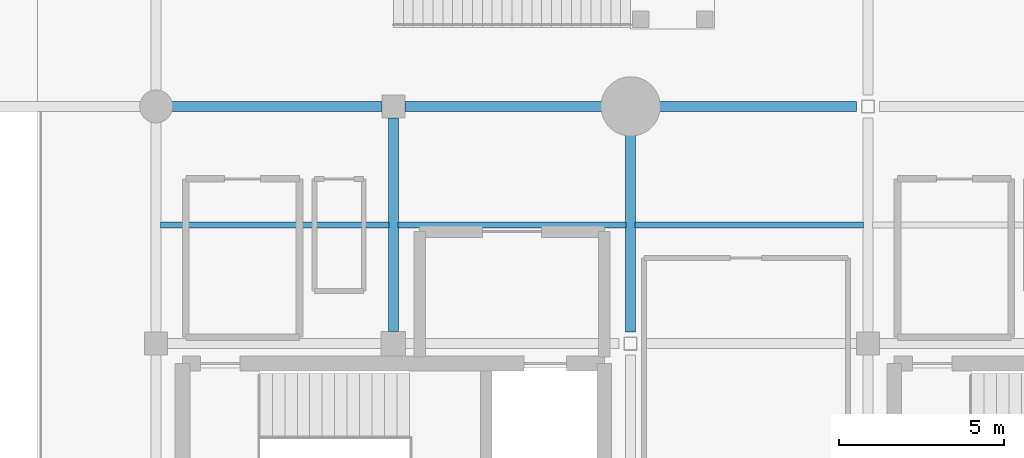
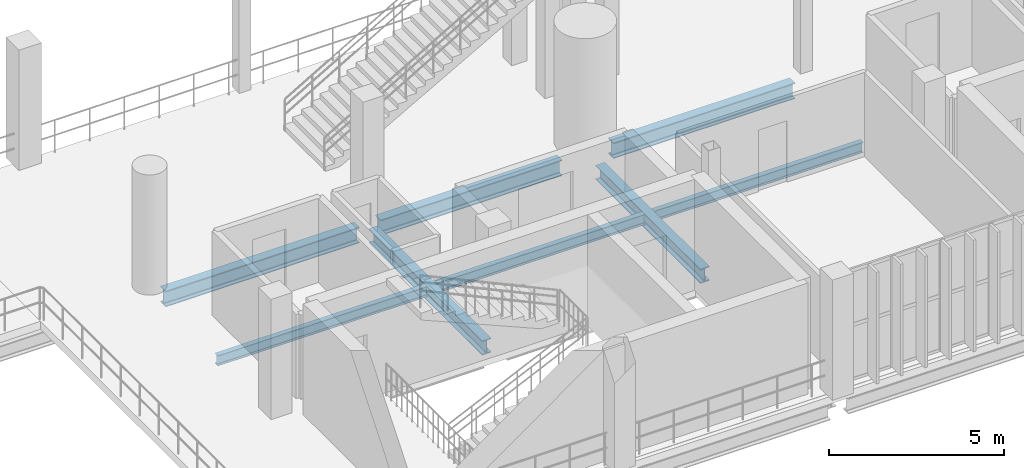
# One storey, part 25 of 130: 8 beams.
"""IFC4 building model written with IfcOpenShell, lengths in metres."""

from ifc_helpers import new_model, si_unit, direction, frame, origin, origin_2d, place, context, subcontext, project, spatial, i_section, extrude, material, material_profile, profile_set, type_object, element, save


model = new_model("IFC4")

# Units and contexts
model_context = context("Model", 3, precision=1e-05, world=origin(), true_north=direction((0.0, 1.0)))
body_context = subcontext(model_context, "Body", "Model", "MODEL_VIEW")
ifc_project = project(units=[si_unit("LENGTHUNIT", "METRE"), si_unit("AREAUNIT", "SQUARE_METRE"), si_unit("VOLUMEUNIT", "CUBIC_METRE"), si_unit("PLANEANGLEUNIT", "RADIAN"), si_unit("MASSUNIT", "GRAM", prefix="KILO")], contexts=[model_context])

# Site, building, storey
site_placement = place(None, origin())
site = spatial("IfcSite", under=ifc_project, at=site_placement, CompositionType="ELEMENT")
building_placement = place(site_placement, origin())
building = spatial("IfcBuilding", under=site, at=building_placement, Name="Qandorah Velis Arena", CompositionType="ELEMENT")
storey_placement = place(building_placement, frame((0.0, 0.0, 9.60009765625)))
storey = spatial("IfcBuildingStorey", under=building, at=storey_placement, Name="L02", CompositionType="ELEMENT", Elevation=9.60009765625)

# Beams
ifc_material = material(Name="Steel S355", Category="steel")
ifc_material_profile_1 = material_profile(ifc_material, i_section(OverallWidth=0.300048828125, OverallDepth=0.5, WebThickness=0.014404296875, FlangeThickness=0.028076171875, FilletRadius=0.027099609375, at=origin_2d()), Name="HEB 500")
ifc_profile_set_1 = profile_set([ifc_material_profile_1], Name="Steel S355")
beam_type_1 = type_object("IfcBeamType", Name="STR-BM-HEB500", PredefinedType="BEAM", material=ifc_profile_set_1)
beam_1_placement = place(storey_placement, frame((36.0, 7.574951171875, -0.530029296875), z_axis=(0.0, 1.0, 0.0), x_axis=(-1.0, 0.0, 0.0)))
element("IfcBeam", 1, at=beam_1_placement, inside=storey, type_object=beam_type_1, Name="Primary floor girder L02 Y-246", PredefinedType="BEAM", context=body_context, shape_type="SweptSolid", body=[
    extrude(i_section(OverallWidth=0.300048828125, OverallDepth=0.5, WebThickness=0.014404296875, FlangeThickness=0.028076171875, FilletRadius=0.027099609375, at=origin_2d()), origin(), (0.0, 0.0, 1.0), 6.47509765625),
])
beam_2_placement = place(storey_placement, frame((43.199951171875, 7.550048828125, -0.530029296875), z_axis=(0.0, 1.0, 0.0), x_axis=(-1.0, 0.0, 0.0)))
element("IfcBeam", 2, at=beam_2_placement, inside=storey, type_object=beam_type_1, Name="Primary floor girder L02 Y-249", PredefinedType="BEAM", context=body_context, shape_type="SweptSolid", body=[
    extrude(i_section(OverallWidth=0.300048828125, OverallDepth=0.5, WebThickness=0.014404296875, FlangeThickness=0.028076171875, FilletRadius=0.027099609375, at=origin_2d()), origin(), (0.0, 0.0, 1.0), 6.0),
])
ifc_material_profile_2 = material_profile(ifc_material, i_section(OverallWidth=0.300048828125, OverallDepth=0.550048828125, WebThickness=0.014892578125, FlangeThickness=0.029052734375, FilletRadius=0.027099609375, at=origin_2d()), Name="HEB 550")
ifc_profile_set_2 = profile_set([ifc_material_profile_2], Name="Steel S355")
beam_type_2 = type_object("IfcBeamType", Name="STR-BM-HEB550", PredefinedType="BEAM", material=ifc_profile_set_2)
beam_3_placement = place(storey_placement, frame((29.25, 14.39990234375, -0.55517578125), z_axis=(1.0, 0.0, 0.0), x_axis=(0.0, 1.0, 0.0)))
element("IfcBeam", 3, at=beam_3_placement, inside=storey, type_object=beam_type_2, Name="Primary floor girder L02 X-029", PredefinedType="BEAM", context=body_context, shape_type="SweptSolid", body=[
    extrude(i_section(OverallWidth=0.300048828125, OverallDepth=0.550048828125, WebThickness=0.014892578125, FlangeThickness=0.029052734375, FilletRadius=0.027099609375, at=origin_2d()), origin(), (0.0, 0.0, 1.0), 6.39990234375),
])
for number, where, z_axis, x_axis, name in (
    (4, (36.35009765625, 14.39990234375, -0.55517578125), (1.0, 0.0, 0.0), (0.0, 1.0, 0.0), "Primary floor girder L02 X-030"),
    (5, (44.050048828125, 14.39990234375, -0.55517578125), (1.0, 0.0, 0.0), (0.0, 1.0, 0.0), "Primary floor girder L02 X-031"),
):
    element("IfcBeam", number, at=place(storey_placement, frame(where, z_axis=z_axis, x_axis=x_axis)), inside=storey, type_object=beam_type_2, Name=name, PredefinedType="BEAM", context=body_context, shape_type="SweptSolid", body=[
        extrude(i_section(OverallWidth=0.300048828125, OverallDepth=0.550048828125, WebThickness=0.014892578125, FlangeThickness=0.029052734375, FilletRadius=0.027099609375, at=origin_2d()), origin(), (0.0, 0.0, 1.0), 6.0),
    ])
ifc_material_profile_3 = material_profile(ifc_material, i_section(OverallWidth=0.169921875, OverallDepth=0.360107421875, WebThickness=0.008056640625, FlangeThickness=0.0126953125, FilletRadius=0.01806640625, at=origin_2d()), Name="IPE 360")
ifc_profile_set_3 = profile_set([ifc_material_profile_3], Name="Steel S355")
beam_type_3 = type_object("IfcBeamType", Name="STR-JST-IPE360", PredefinedType="JOIST", material=ifc_profile_set_3)
for number, where, z_axis, x_axis, name in (
    (6, (28.93505859375, 10.800048828125, -0.460205078125), (1.0, 0.0, 0.0), (0.0, 1.0, 0.0), "Secondary floor joist L02-039"),
    (7, (36.135009765625, 10.800048828125, -0.460205078125), (1.0, 0.0, 0.0), (0.0, 1.0, 0.0), "Secondary floor joist L02-041"),
    (8, (43.3349609375, 10.800048828125, -0.460205078125), (1.0, 0.0, 0.0), (0.0, 1.0, 0.0), "Secondary floor joist L02-044"),
):
    element("IfcBeam", number, at=place(storey_placement, frame(where, z_axis=z_axis, x_axis=x_axis)), inside=storey, type_object=beam_type_3, Name=name, PredefinedType="JOIST", context=body_context, shape_type="SweptSolid", body=[
        extrude(i_section(OverallWidth=0.169921875, OverallDepth=0.360107421875, WebThickness=0.008056640625, FlangeThickness=0.0126953125, FilletRadius=0.01806640625, at=origin_2d()), origin(), (0.0, 0.0, 1.0), 6.929931640625),
    ])

save(model, "model.ifc")
